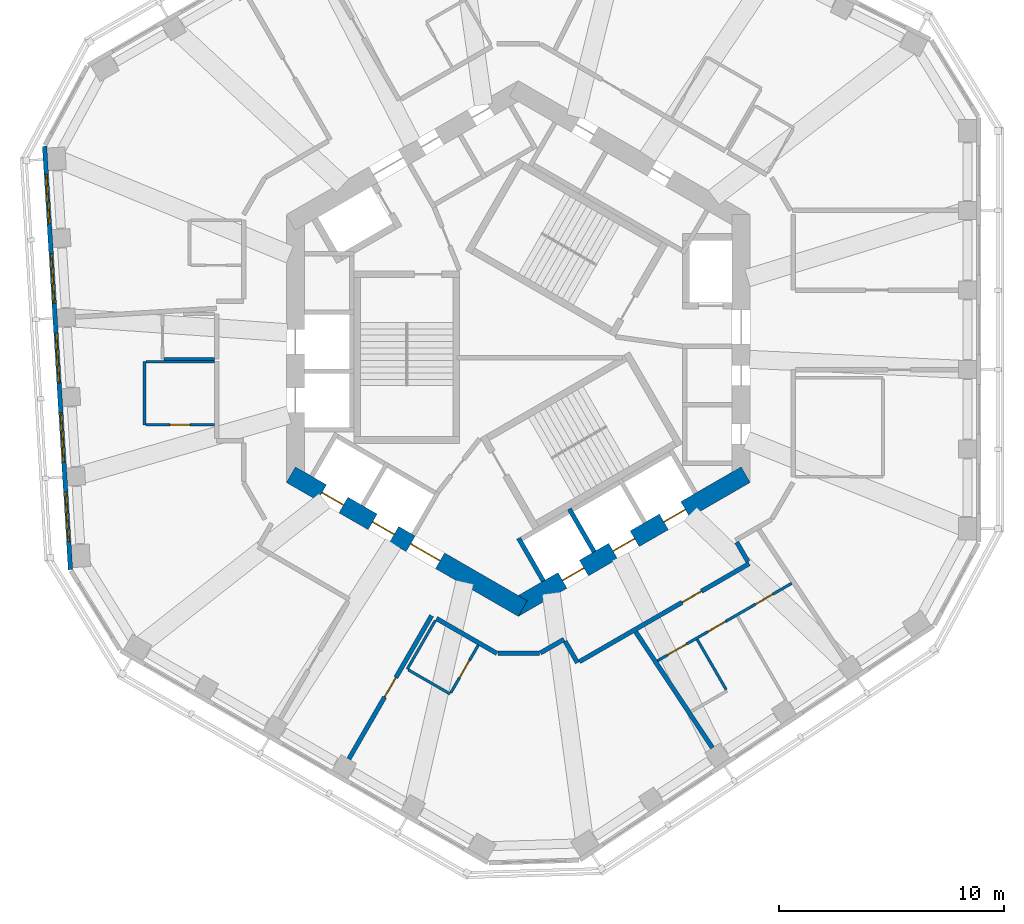
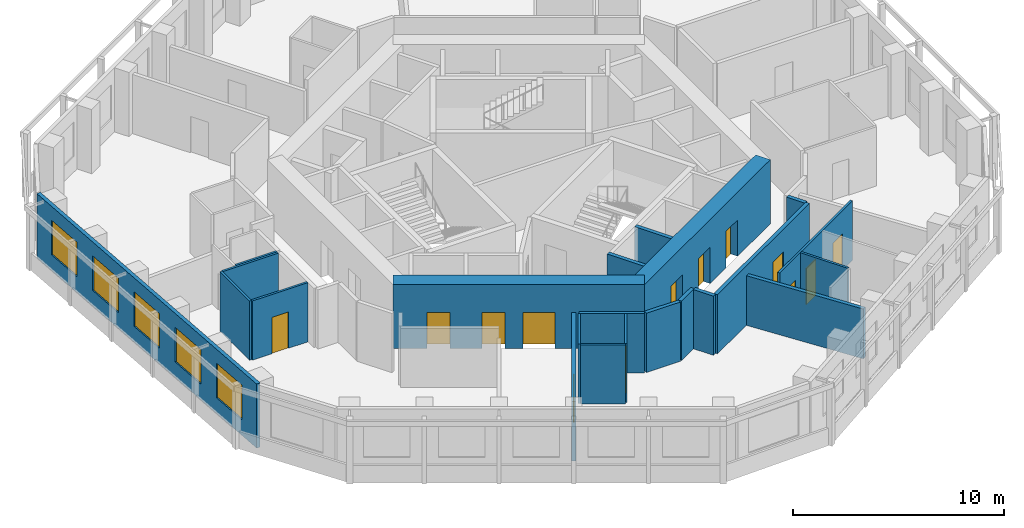
# One storey, part 4 of 11: 22 walls, 13 doors, 5 windows, 18 openings.
"""IFC4 building model written with IfcOpenShell, lengths in metres."""

import ifcopenshell
import ifcopenshell.guid

model = None  # the IFC model being written
_history = None  # IfcOwnerHistory: only IFC2X3 demands one
_inside = {}  # id of a spatial element -> (the spatial element, [elements in it])
_under = {}  # id of a project, library or spatial element -> (it, [spatial elements below it])
_declared = {}  # id of a project -> (the project, [libraries it declares])
_typed = {}  # id of a type object -> (the type object, [elements of that type])
_made_of = {}  # id of a material, layer set ... -> (it, [elements and type objects made of it])


def new_model(schema):
    """Start an empty IFC model of exactly this schema.

    Asked for "IFC4X3", IfcOpenShell would pick the latest addendum, in which some entities
    have other attributes; the version numbers below select the first issue.
    IFC2X3 requires an IfcOwnerHistory on every rooted entity: one is made here for all.
    """
    global model, _history
    if schema == "IFC4X3":
        model = ifcopenshell.file(schema_version=(4, 3, 0, 0))
    else:
        model = ifcopenshell.file(schema=schema)
    _inside.clear()
    _under.clear()
    _declared.clear()
    _typed.clear()
    _made_of.clear()
    _history = None
    if model.schema == "IFC2X3":
        org = make("IfcOrganization", Name="unknown")
        user = make(
            "IfcPersonAndOrganization",
            ThePerson=make("IfcPerson", FamilyName="unknown"),
            TheOrganization=org,
        )
        app = make(
            "IfcApplication",
            ApplicationDeveloper=org,
            Version="unknown",
            ApplicationFullName="unknown",
            ApplicationIdentifier="unknown",
        )
        _history = make(
            "IfcOwnerHistory",
            OwningUser=user,
            OwningApplication=app,
            ChangeAction="ADDED",
            CreationDate=0,
        )
    return model


def make(cls, **values):
    """One entity of the class cls with the attributes given. An attribute that is None is left unset."""
    return model.create_entity(
        cls, **{name: value for name, value in values.items() if value is not None}
    )


def rooted(cls, **values):
    """An entity with a GlobalId (a new one), such as an element, a storey or a relation."""
    return make(cls, GlobalId=ifcopenshell.guid.new(), OwnerHistory=_history, **values)


def si_unit(unit_type, name, prefix=None):
    """IfcSIUnit, for example si_unit("LENGTHUNIT", "METRE", prefix="MILLI")."""
    return make("IfcSIUnit", UnitType=unit_type, Prefix=prefix, Name=name)


def assignment(units):
    """IfcUnitAssignment: the units of a project."""
    return None if units is None else make("IfcUnitAssignment", Units=units)


def point(xyz):
    """IfcCartesianPoint."""
    return None if xyz is None else make("IfcCartesianPoint", Coordinates=xyz)


def direction(xyz):
    """IfcDirection."""
    return None if xyz is None else make("IfcDirection", DirectionRatios=xyz)


def frame(location, z_axis=None, x_axis=None):
    """IfcAxis2Placement3D, a coordinate frame: its origin and axes. An axis left out is left unset."""
    return make(
        "IfcAxis2Placement3D",
        Location=point(location),
        Axis=direction(z_axis),
        RefDirection=direction(x_axis),
    )


def frame_2d(location, x_axis=None):
    """IfcAxis2Placement2D, a coordinate frame in the plane: its origin and x axis."""
    return make(
        "IfcAxis2Placement2D", Location=point(location), RefDirection=direction(x_axis)
    )


def origin():
    """The frame at (0, 0, 0) with its axes left unset."""
    return frame((0.0, 0.0, 0.0))


def place(relative_to, where):
    """IfcLocalPlacement: puts the frame where relative to a parent placement (None: the world)."""
    return make(
        "IfcLocalPlacement", PlacementRelTo=relative_to, RelativePlacement=where
    )


def context(
    kind, dimensions, precision=None, world=None, true_north=None, identifier=None
):
    """IfcGeometricRepresentationContext, for example the 3D "Model" context."""
    return make(
        "IfcGeometricRepresentationContext",
        ContextIdentifier=identifier,
        ContextType=kind,
        CoordinateSpaceDimension=dimensions,
        Precision=precision,
        WorldCoordinateSystem=world,
        TrueNorth=true_north,
    )


def subcontext(parent, identifier, kind, view, scale=None):
    """IfcGeometricRepresentationSubContext, for example "Body" below "Model"."""
    return make(
        "IfcGeometricRepresentationSubContext",
        ContextIdentifier=identifier,
        ContextType=kind,
        ParentContext=parent,
        TargetScale=scale,
        TargetView=view,
    )


def project(units=None, contexts=None):
    """IfcProject with its units and contexts."""
    return rooted(
        "IfcProject",
        Name="project",
        RepresentationContexts=contexts,
        UnitsInContext=assignment(units),
    )


def spatial(cls, under=None, at=None, **own):
    """A site, building, storey or space (cls), placed at a placement, below another one or the project."""
    s = rooted(cls, ObjectPlacement=at, **own)
    if under is not None:
        _under.setdefault(under.id(), (under, []))[1].append(s)
    return s


def profile(cls, at=None, kind="AREA", **sizes):
    """A parametric profile (cls). Its sizes go by their IFC names, for example OverallWidth=200.0."""
    return make(cls, ProfileType=kind, Position=at, **sizes)


def rectangle(**sizes):
    """IfcRectangleProfileDef."""
    return profile("IfcRectangleProfileDef", **sizes)


def extrude(swept, where, along, depth):
    """IfcExtrudedAreaSolid: the profile swept, set in the frame where, extruded along a direction by depth."""
    return make(
        "IfcExtrudedAreaSolid",
        SweptArea=swept,
        Position=where,
        ExtrudedDirection=direction(along),
        Depth=depth,
    )


def shape(context_of_items, identifier, shape_type, items):
    """IfcShapeRepresentation: the items that make up one representation, for example the "Body"."""
    return make(
        "IfcShapeRepresentation",
        ContextOfItems=context_of_items,
        RepresentationIdentifier=identifier,
        RepresentationType=shape_type,
        Items=items,
    )


def material(Name=None, Category=None):
    """IfcMaterial."""
    return make("IfcMaterial", Name=Name, Category=Category)


def layer(
    of_material, thickness, ventilated=None, Name=None, Category=None, Priority=None
):
    """IfcMaterialLayer: one layer of a wall or slab, of a material (None: an air gap)."""
    return make(
        "IfcMaterialLayer",
        Material=of_material,
        LayerThickness=thickness,
        IsVentilated=ventilated,
        Name=Name,
        Category=Category,
        Priority=Priority,
    )


def layer_set(layers, Name=None):
    """IfcMaterialLayerSet."""
    return make("IfcMaterialLayerSet", MaterialLayers=layers, LayerSetName=Name)


def made_of(thing, what):
    """Note that an element or type object is made of a material, layer set ...; save() writes the relation."""
    if what is not None:
        _made_of.setdefault(what.id(), (what, []))[1].append(thing)
    return thing


def type_object(cls, material=None, **own):
    """A type object (cls), such as IfcWallType, which elements share."""
    return made_of(rooted(cls, **own), material)


def element(
    cls,
    number,
    at=None,
    inside=None,
    cuts=None,
    type_object=None,
    material=None,
    context=None,
    identifier="Body",
    shape_type=None,
    held_by="IfcProductDefinitionShape",
    body=None,
    shapes=None,
    **own,
):
    """One element of the class cls, such as IfcWall. Its Tag is "e" and its number.

    at: its placement. inside: the storey or other place that contains it. cuts: it is an
    opening in that element (IfcRelVoidsElement). A single representation is given by context,
    identifier, shape_type and body (its items); several are given by shapes. held_by: the class
    of the entity that holds the representations. save() writes the other relations.
    """
    e = rooted(cls, Tag="e%d" % number, ObjectPlacement=at, **own)
    if body is not None:
        shapes = [shape(context, identifier, shape_type, body)]
    if shapes is not None:
        e.Representation = make(held_by, Representations=shapes)
    if inside is not None:
        _inside.setdefault(inside.id(), (inside, []))[1].append(e)
    if cuts is not None:
        rooted(
            "IfcRelVoidsElement", RelatingBuildingElement=cuts, RelatedOpeningElement=e
        )
    if type_object is not None:
        _typed.setdefault(type_object.id(), (type_object, []))[1].append(e)
    return made_of(e, material)


def fill(opening, filler):
    """IfcRelFillsElement: the door or window that sits in an opening."""
    return rooted(
        "IfcRelFillsElement",
        RelatingOpeningElement=opening,
        RelatedBuildingElement=filler,
    )


def aggregate(whole, parts):
    """IfcRelAggregates: a whole, such as a stair, and the parts it consists of."""
    return rooted("IfcRelAggregates", RelatingObject=whole, RelatedObjects=parts)


def save(model, path):
    """Write the relations noted so far, then the file.

    IfcRelAggregates (storeys below a building ...), IfcRelContainedInSpatialStructure (elements
    in a storey), IfcRelDefinesByType, IfcRelAssociatesMaterial and IfcRelDeclares: one each for
    every whole, place, type object, material and project.
    """
    for whole, parts in _under.values():
        aggregate(whole, parts)
    for where, things in _inside.values():
        rooted(
            "IfcRelContainedInSpatialStructure",
            RelatedElements=things,
            RelatingStructure=where,
        )
    for kind, things in _typed.values():
        rooted("IfcRelDefinesByType", RelatedObjects=things, RelatingType=kind)
    for what, things in _made_of.values():
        rooted("IfcRelAssociatesMaterial", RelatedObjects=things, RelatingMaterial=what)
    for by, libraries in _declared.values():
        rooted("IfcRelDeclares", RelatingContext=by, RelatedDefinitions=libraries)
    model.write(path)


model = new_model("IFC4")

# Units and contexts
model_context = context("Model", 3, precision=1e-05, world=origin(), true_north=direction((0.0, 1.0)))
body_context = subcontext(model_context, "Body", "Model", "MODEL_VIEW")
ifc_project = project(units=[si_unit("LENGTHUNIT", "METRE"), si_unit("AREAUNIT", "SQUARE_METRE"), si_unit("VOLUMEUNIT", "CUBIC_METRE"), si_unit("PLANEANGLEUNIT", "RADIAN"), si_unit("MASSUNIT", "GRAM", prefix="KILO")], contexts=[model_context])

# Site, building, storey
site_placement = place(None, origin())
site = spatial("IfcSite", under=ifc_project, at=site_placement, CompositionType="ELEMENT")
building_placement = place(site_placement, origin())
building = spatial("IfcBuilding", under=site, at=building_placement, Name="Vanh Sen Convention Tower", CompositionType="ELEMENT")
storey_placement = place(building_placement, frame((0.0, 0.0, 243.89990234375)))
storey = spatial("IfcBuildingStorey", under=building, at=storey_placement, Name="L60", CompositionType="ELEMENT", Elevation=243.89990234375)

# Walls
ifc_material_1 = material(Name="Moisture-resistant gypsum board on steel studs", Category="steel")
ifc_layer_1 = layer(ifc_material_1, 0.1201171875)
ifc_layer_set_1 = layer_set([ifc_layer_1], Name="Moisture-resistant gypsum board on steel studs")
wall_type_1 = type_object("IfcWallType", Name="Bathroom partition 120", PredefinedType="PARTITIONING", material=ifc_layer_set_1)
wall_1_placement = place(storey_placement, frame((-16.60107421875, -3.38671875, 0.0), z_axis=(0.0, 0.0, 1.0), x_axis=(0.0, 1.0, 0.0)))
element("IfcWall", 1, at=wall_1_placement, inside=storey, type_object=wall_type_1, Name="Bathroom partition 120", PredefinedType="PARTITIONING", context=body_context, shape_type="SweptSolid", body=[
    extrude(rectangle(XDim=2.800048828125, YDim=0.1201171875, at=frame_2d((1.39990234375, 0.0))), origin(), (0.0, 0.0, 1.0), 3.420166015625),
])
wall_2_placement = place(storey_placement, frame((-16.541015625, -0.586669921875, 0.0), z_axis=(0.0, 0.0, 1.0), x_axis=(1.0, 0.0, 0.0)))
element("IfcWall", 2, at=wall_2_placement, inside=storey, type_object=wall_type_1, Name="Bathroom partition 120", PredefinedType="PARTITIONING", context=body_context, shape_type="SweptSolid", body=[
    extrude(rectangle(XDim=3.0400390625, YDim=0.1201171875, at=frame_2d((1.52001953125, 0.0))), origin(), (0.0, 0.0, 1.0), 3.420166015625),
])

# Wall, opening, door
wall_3_placement = place(storey_placement, frame((-13.5009765625, -3.38671875, 0.0), z_axis=(0.0, 0.0, 1.0), x_axis=(-1.0, 0.0, 0.0)))
wall_3 = element("IfcWall", 3, at=wall_3_placement, inside=storey, type_object=wall_type_1, Name="Bathroom partition 120", PredefinedType="PARTITIONING", context=body_context, shape_type="SweptSolid", body=[
    extrude(rectangle(XDim=3.0400390625, YDim=0.1201171875, at=frame_2d((1.52001953125, 0.0))), origin(), (0.0, 0.0, 1.0), 3.420166015625),
])
opening_1_placement = place(wall_3_placement, frame((1.070068359375, 0.0, 0.0)))
opening_1 = element("IfcOpeningElement", 4, at=opening_1_placement, cuts=wall_3, Name="Opening D59111", PredefinedType="OPENING", context=body_context, shape_type="SweptSolid", body=[
    extrude(rectangle(XDim=0.89990234375, YDim=2.10009765625, at=frame_2d((0.449951171875, 1.050048828125))), frame((0.0, 0.070068359375, 0.0), z_axis=(0.0, -1.0, 0.0), x_axis=(1.0, 0.0, 0.0)), (0.0, 0.0, 1.0), 0.14013671875),
])
ifc_material_2 = material(Name="Laminate door in steel frame", Category="steel")
door_type_1 = type_object("IfcDoorType", Name="Room internal door 900", OperationType="SINGLE_SWING_LEFT", PredefinedType="DOOR", material=ifc_material_2)
door_1_placement = place(opening_1_placement, origin())
door_1 = element("IfcDoor", 5, at=door_1_placement, inside=storey, type_object=door_type_1, Name="Internal room door D59111", OperationType="SINGLE_SWING_LEFT", OverallHeight=2.10009765625, OverallWidth=0.89990234375, PredefinedType="DOOR", context=body_context, shape_type="SweptSolid", body=[
    extrude(rectangle(XDim=0.89990234375, YDim=2.10009765625, at=frame_2d((0.449951171875, 1.050048828125))), frame((0.0, 0.02490234375, 0.0), z_axis=(0.0, -1.0, 0.0), x_axis=(1.0, 0.0, 0.0)), (0.0, 0.0, 1.0), 0.050048828125),
])
fill(opening_1, door_1)

# Walls
wall_4_placement = place(storey_placement, frame((-13.5009765625, -0.466796875, 0.0), z_axis=(0.0, 0.0, 1.0), x_axis=(-1.0, 0.0, 0.0)))
element("IfcWall", 6, at=wall_4_placement, inside=storey, type_object=wall_type_1, Name="Bathroom partition 120", PredefinedType="PARTITIONING", context=body_context, shape_type="SweptSolid", body=[
    extrude(rectangle(XDim=2.239990234375, YDim=0.1201171875, at=frame_2d((1.1201171875, 0.0))), origin(), (0.0, 0.0, 1.0), 3.420166015625),
])
wall_5_placement = place(storey_placement, frame((-4.93359375, -14.2412109375, 0.0), z_axis=(0.0, 0.0, 1.0), x_axis=(0.500004234368, 0.866022959057, 0.0)))
element("IfcWall", 7, at=wall_5_placement, inside=storey, type_object=wall_type_1, Name="Bathroom partition 120", PredefinedType="PARTITIONING", context=body_context, shape_type="SweptSolid", body=[
    extrude(rectangle(XDim=2.5, YDim=0.1201171875, at=frame_2d((1.25, 0.0))), origin(), (0.0, 0.0, 1.0), 3.420166015625),
])
wall_6_placement = place(storey_placement, frame((-3.0283203125, -15.34130859375, 0.0), z_axis=(0.0, 0.0, 1.0), x_axis=(-0.86600889856, 0.500028586798, 0.0)))
element("IfcWall", 8, at=wall_6_placement, inside=storey, type_object=wall_type_1, Name="Bathroom partition 120", PredefinedType="PARTITIONING", context=body_context, shape_type="SweptSolid", body=[
    extrude(rectangle(XDim=2.139892578125, YDim=0.1201171875, at=frame_2d((1.06982421875, 0.0))), origin(), (0.0, 0.0, 1.0), 3.420166015625),
])

# Wall, opening, door
wall_7_placement = place(storey_placement, frame((-1.7783203125, -13.17626953125, 0.0), z_axis=(0.0, 0.0, 1.0), x_axis=(-0.500002508028, -0.866023955769, 0.0)))
wall_7 = element("IfcWall", 9, at=wall_7_placement, inside=storey, type_object=wall_type_1, Name="Bathroom partition 120", PredefinedType="PARTITIONING", context=body_context, shape_type="SweptSolid", body=[
    extrude(rectangle(XDim=2.43994140625, YDim=0.1201171875, at=frame_2d((1.219970703125, 0.0))), origin(), (0.0, 0.0, 1.0), 3.420166015625),
])
opening_2_placement = place(wall_7_placement, frame((0.77001953125, 0.0, 0.0)))
opening_2 = element("IfcOpeningElement", 10, at=opening_2_placement, cuts=wall_7, Name="Opening D59113", PredefinedType="OPENING", context=body_context, shape_type="SweptSolid", body=[
    extrude(rectangle(XDim=0.89990234375, YDim=2.10009765625, at=frame_2d((0.449951171875, 1.050048828125))), frame((0.0, 0.070068359375, 0.0), z_axis=(0.0, -1.0, 0.0), x_axis=(1.0, 0.0, 0.0)), (0.0, 0.0, 1.0), 0.14013671875),
])
door_2_placement = place(opening_2_placement, origin())
door_2 = element("IfcDoor", 11, at=door_2_placement, inside=storey, type_object=door_type_1, Name="Internal room door D59113", OperationType="SINGLE_SWING_LEFT", OverallHeight=2.10009765625, OverallWidth=0.89990234375, PredefinedType="DOOR", context=body_context, shape_type="SweptSolid", body=[
    extrude(rectangle(XDim=0.89990234375, YDim=2.10009765625, at=frame_2d((0.449951171875, 1.050048828125))), frame((0.0, 0.02490234375, 0.0), z_axis=(0.0, -1.0, 0.0), x_axis=(1.0, 0.0, 0.0)), (0.0, 0.0, 1.0), 0.050048828125),
])
fill(opening_2, door_2)

# Wall, openings, doors
wall_8_placement = place(storey_placement, frame((6.1826171875, -13.867431640625, 0.0), z_axis=(0.0, 0.0, 1.0), x_axis=(0.866031365477, 0.499989673903, 0.0)))
wall_8 = element("IfcWall", 12, at=wall_8_placement, inside=storey, type_object=wall_type_1, Name="Bathroom partition 120", PredefinedType="PARTITIONING", context=body_context, shape_type="SweptSolid", body=[
    extrude(rectangle(XDim=6.880615234375, YDim=0.1201171875, at=frame_2d((3.4404296875, 0.0))), origin(), (0.0, 0.0, 1.0), 3.420166015625),
])
opening_3_placement = place(wall_8_placement, frame((0.5, 0.0, 0.0)))
opening_3 = element("IfcOpeningElement", 13, at=opening_3_placement, cuts=wall_8, Name="Opening D59115", PredefinedType="OPENING", context=body_context, shape_type="SweptSolid", body=[
    extrude(rectangle(XDim=1.0, YDim=2.10009765625, at=frame_2d((0.5, 1.050048828125))), frame((0.0, 0.070068359375, 0.0), z_axis=(0.0, -1.0, 0.0), x_axis=(1.0, 0.0, 0.0)), (0.0, 0.0, 1.0), 0.14013671875),
])
opening_4_placement = place(wall_8_placement, frame((2.58251953125, 0.0, 0.0)))
opening_4 = element("IfcOpeningElement", 14, at=opening_4_placement, cuts=wall_8, Name="Opening D59116", PredefinedType="OPENING", context=body_context, shape_type="SweptSolid", body=[
    extrude(rectangle(XDim=0.89990234375, YDim=2.10009765625, at=frame_2d((0.449951171875, 1.050048828125))), frame((0.0, 0.070068359375, 0.0), z_axis=(0.0, -1.0, 0.0), x_axis=(1.0, 0.0, 0.0)), (0.0, 0.0, 1.0), 0.14013671875),
])
opening_5_placement = place(wall_8_placement, frame((5.022705078125, 0.0, 0.0)))
opening_5 = element("IfcOpeningElement", 15, at=opening_5_placement, cuts=wall_8, Name="Opening D59117", PredefinedType="OPENING", context=body_context, shape_type="SweptSolid", body=[
    extrude(rectangle(XDim=0.89990234375, YDim=2.10009765625, at=frame_2d((0.449951171875, 1.050048828125))), frame((0.0, 0.070068359375, 0.0), z_axis=(0.0, -1.0, 0.0), x_axis=(1.0, 0.0, 0.0)), (0.0, 0.0, 1.0), 0.14013671875),
])
door_type_2 = type_object("IfcDoorType", Name="Accessible WC door 1000", OperationType="SINGLE_SWING_LEFT", PredefinedType="DOOR", material=ifc_material_2)
door_3_placement = place(opening_3_placement, origin())
door_3 = element("IfcDoor", 16, at=door_3_placement, inside=storey, type_object=door_type_2, Name="Accessible WC door D59115", OperationType="SINGLE_SWING_LEFT", OverallHeight=2.10009765625, OverallWidth=1.0, PredefinedType="DOOR", context=body_context, shape_type="SweptSolid", body=[
    extrude(rectangle(XDim=1.0, YDim=2.10009765625, at=frame_2d((0.5, 1.050048828125))), frame((0.0, 0.02490234375, 0.0), z_axis=(0.0, -1.0, 0.0), x_axis=(1.0, 0.0, 0.0)), (0.0, 0.0, 1.0), 0.050048828125),
])
fill(opening_3, door_3)
door_4_placement = place(opening_4_placement, origin())
door_4 = element("IfcDoor", 17, at=door_4_placement, inside=storey, type_object=door_type_1, Name="Internal room door D59116", OperationType="SINGLE_SWING_LEFT", OverallHeight=2.10009765625, OverallWidth=0.89990234375, PredefinedType="DOOR", context=body_context, shape_type="SweptSolid", body=[
    extrude(rectangle(XDim=0.89990234375, YDim=2.10009765625, at=frame_2d((0.449951171875, 1.050048828125))), frame((0.0, 0.02490234375, 0.0), z_axis=(0.0, -1.0, 0.0), x_axis=(1.0, 0.0, 0.0)), (0.0, 0.0, 1.0), 0.050048828125),
])
fill(opening_4, door_4)
door_5_placement = place(opening_5_placement, origin())
door_5 = element("IfcDoor", 18, at=door_5_placement, inside=storey, type_object=door_type_1, Name="Internal room door D59117", OperationType="SINGLE_SWING_LEFT", OverallHeight=2.10009765625, OverallWidth=0.89990234375, PredefinedType="DOOR", context=body_context, shape_type="SweptSolid", body=[
    extrude(rectangle(XDim=0.89990234375, YDim=2.10009765625, at=frame_2d((0.449951171875, 1.050048828125))), frame((0.0, 0.02490234375, 0.0), z_axis=(0.0, -1.0, 0.0), x_axis=(1.0, 0.0, 0.0)), (0.0, 0.0, 1.0), 0.050048828125),
])
fill(opening_5, door_5)

# Wall
wall_9_placement = place(storey_placement, frame((9.23486328125, -15.15380859375, 0.0), z_axis=(0.0, 0.0, 1.0), x_axis=(-0.500006411147, 0.866021702275, 0.0)))
element("IfcWall", 19, at=wall_9_placement, inside=storey, type_object=wall_type_1, Name="Bathroom partition 120", PredefinedType="PARTITIONING", context=body_context, shape_type="SweptSolid", body=[
    extrude(rectangle(XDim=2.580078125, YDim=0.1201171875, at=frame_2d((1.2900390625, 0.0))), origin(), (0.0, 0.0, 1.0), 3.420166015625),
])

# Wall, openings, doors
ifc_material_3 = material(Name="Concrete C60/75", Category="concrete")
ifc_layer_2 = layer(ifc_material_3, 0.800048828125)
ifc_layer_set_2 = layer_set([ifc_layer_2], Name="Concrete C60/75")
wall_type_2 = type_object("IfcWallType", Name="Core outer wall 800 C60/75", PredefinedType="SHEAR", material=ifc_layer_set_2)
wall_10_placement = place(storey_placement, frame((-10.10009765625, -5.600341796875, 0.0), z_axis=(0.0, 0.0, 1.0), x_axis=(0.866023897231, -0.500002609418, 0.0)))
wall_10 = element("IfcWall", 20, at=wall_10_placement, inside=storey, type_object=wall_type_2, Name="Core wall face SW L60", PredefinedType="SHEAR", context=body_context, shape_type="SweptSolid", body=[
    extrude(rectangle(XDim=11.8935546875, YDim=0.800048828125, at=frame_2d((5.94677734375, 0.0))), origin(), (0.0, 0.0, 1.0), 3.7001953125),
])
opening_6_placement = place(wall_10_placement, frame((6.146728515625, 0.0, 0.0)))
opening_6 = element("IfcOpeningElement", 21, at=opening_6_placement, cuts=wall_10, Name="Opening D59003", PredefinedType="OPENING", context=body_context, shape_type="SweptSolid", body=[
    extrude(rectangle(XDim=1.5, YDim=2.10009765625, at=frame_2d((0.75, 1.050048828125))), frame((0.0, 0.409912109375, 0.0), z_axis=(0.0, -1.0, 0.0), x_axis=(1.0, 0.0, 0.0)), (0.0, 0.0, 1.0), 0.820068359375),
])
opening_7_placement = place(wall_10_placement, frame((1.5966796875, 0.0, 0.0)))
opening_7 = element("IfcOpeningElement", 22, at=opening_7_placement, cuts=wall_10, Name="Opening LD-HR3", PredefinedType="OPENING", context=body_context, shape_type="SweptSolid", body=[
    extrude(rectangle(XDim=1.10009765625, YDim=2.10009765625, at=frame_2d((0.550048828125, 1.050048828125))), frame((0.0, 0.409912109375, 0.0), z_axis=(0.0, -1.0, 0.0), x_axis=(1.0, 0.0, 0.0)), (0.0, 0.0, 1.0), 0.820068359375),
])
opening_8_placement = place(wall_10_placement, frame((4.19677734375, 0.0, 0.0)))
opening_8 = element("IfcOpeningElement", 23, at=opening_8_placement, cuts=wall_10, Name="Opening LD-HR4", PredefinedType="OPENING", context=body_context, shape_type="SweptSolid", body=[
    extrude(rectangle(XDim=1.10009765625, YDim=2.10009765625, at=frame_2d((0.550048828125, 1.050048828125))), frame((0.0, 0.409912109375, 0.0), z_axis=(0.0, -1.0, 0.0), x_axis=(1.0, 0.0, 0.0)), (0.0, 0.0, 1.0), 0.820068359375),
])
ifc_material_4 = material(Name="Stainless steel", Category="steel")
door_type_3 = type_object("IfcDoorType", Name="Lift landing door 1100", OperationType="DOUBLE_DOOR_SLIDING", PredefinedType="DOOR", material=ifc_material_4)
door_6_placement = place(opening_7_placement, origin())
door_6 = element("IfcDoor", 24, at=door_6_placement, inside=storey, type_object=door_type_3, Name="Lift HR3 landing door LD-HR3", OperationType="DOUBLE_DOOR_SLIDING", OverallHeight=2.10009765625, OverallWidth=1.10009765625, PredefinedType="DOOR", context=body_context, shape_type="SweptSolid", body=[
    extrude(rectangle(XDim=1.10009765625, YDim=2.10009765625, at=frame_2d((0.550048828125, 1.050048828125))), frame((0.0, 0.02490234375, 0.0), z_axis=(0.0, -1.0, 0.0), x_axis=(1.0, 0.0, 0.0)), (0.0, 0.0, 1.0), 0.050048828125),
])
fill(opening_7, door_6)
door_7_placement = place(opening_8_placement, origin())
door_7 = element("IfcDoor", 25, at=door_7_placement, inside=storey, type_object=door_type_3, Name="Lift HR4 landing door LD-HR4", OperationType="DOUBLE_DOOR_SLIDING", OverallHeight=2.10009765625, OverallWidth=1.10009765625, PredefinedType="DOOR", context=body_context, shape_type="SweptSolid", body=[
    extrude(rectangle(XDim=1.10009765625, YDim=2.10009765625, at=frame_2d((0.550048828125, 1.050048828125))), frame((0.0, 0.02490234375, 0.0), z_axis=(0.0, -1.0, 0.0), x_axis=(1.0, 0.0, 0.0)), (0.0, 0.0, 1.0), 0.050048828125),
])
fill(opening_8, door_7)
ifc_material_5 = material(Name="Steel S355", Category="steel")
door_type_4 = type_object("IfcDoorType", Name="Stair lobby door 1500", OperationType="DOUBLE_DOOR_SINGLE_SWING", PredefinedType="DOOR", material=ifc_material_5)
door_8_placement = place(opening_6_placement, origin())
door_8 = element("IfcDoor", 26, at=door_8_placement, inside=storey, type_object=door_type_4, Name="Stair lobby door D59003", OperationType="DOUBLE_DOOR_SINGLE_SWING", OverallHeight=2.10009765625, OverallWidth=1.5, PredefinedType="DOOR", context=body_context, shape_type="SweptSolid", body=[
    extrude(rectangle(XDim=1.5, YDim=2.10009765625, at=frame_2d((0.75, 1.050048828125))), frame((0.0, 0.02490234375, 0.0), z_axis=(0.0, -1.0, 0.0), x_axis=(1.0, 0.0, 0.0)), (0.0, 0.0, 1.0), 0.050048828125),
])
fill(opening_6, door_8)

wall_11_placement = place(storey_placement, frame((-0.199951171875, -11.547119140625, 0.0), z_axis=(0.0, 0.0, 1.0), x_axis=(0.866023897231, 0.500002609418, 0.0)))
wall_11 = element("IfcWall", 27, at=wall_11_placement, inside=storey, type_object=wall_type_2, Name="Core wall face SE L60", PredefinedType="SHEAR", context=body_context, shape_type="SweptSolid", body=[
    extrude(rectangle(XDim=11.8935546875, YDim=0.800048828125, at=frame_2d((5.94677734375, 0.0))), origin(), (0.0, 0.0, 1.0), 3.7001953125),
])
opening_9_placement = place(wall_11_placement, frame((2.49658203125, 0.0, 0.0)))
opening_9 = element("IfcOpeningElement", 28, at=opening_9_placement, cuts=wall_11, Name="Opening LD-HR5", PredefinedType="OPENING", context=body_context, shape_type="SweptSolid", body=[
    extrude(rectangle(XDim=1.10009765625, YDim=2.10009765625, at=frame_2d((0.550048828125, 1.050048828125))), frame((0.0, 0.409912109375, 0.0), z_axis=(0.0, -1.0, 0.0), x_axis=(1.0, 0.0, 0.0)), (0.0, 0.0, 1.0), 0.820068359375),
])
opening_10_placement = place(wall_11_placement, frame((5.0966796875, 0.0, 0.0)))
opening_10 = element("IfcOpeningElement", 29, at=opening_10_placement, cuts=wall_11, Name="Opening LD-HR6", PredefinedType="OPENING", context=body_context, shape_type="SweptSolid", body=[
    extrude(rectangle(XDim=1.10009765625, YDim=2.10009765625, at=frame_2d((0.550048828125, 1.050048828125))), frame((0.0, 0.409912109375, 0.0), z_axis=(0.0, -1.0, 0.0), x_axis=(1.0, 0.0, 0.0)), (0.0, 0.0, 1.0), 0.820068359375),
])
opening_11_placement = place(wall_11_placement, frame((7.69677734375, 0.0, 0.0)))
opening_11 = element("IfcOpeningElement", 30, at=opening_11_placement, cuts=wall_11, Name="Opening LD-SV1", PredefinedType="OPENING", context=body_context, shape_type="SweptSolid", body=[
    extrude(rectangle(XDim=1.10009765625, YDim=2.10009765625, at=frame_2d((0.550048828125, 1.050048828125))), frame((0.0, 0.409912109375, 0.0), z_axis=(0.0, -1.0, 0.0), x_axis=(1.0, 0.0, 0.0)), (0.0, 0.0, 1.0), 0.820068359375),
])
door_9_placement = place(opening_9_placement, origin())
door_9 = element("IfcDoor", 31, at=door_9_placement, inside=storey, type_object=door_type_3, Name="Lift HR5 landing door LD-HR5", OperationType="DOUBLE_DOOR_SLIDING", OverallHeight=2.10009765625, OverallWidth=1.10009765625, PredefinedType="DOOR", context=body_context, shape_type="SweptSolid", body=[
    extrude(rectangle(XDim=1.10009765625, YDim=2.10009765625, at=frame_2d((0.550048828125, 1.050048828125))), frame((0.0, 0.02490234375, 0.0), z_axis=(0.0, -1.0, 0.0), x_axis=(1.0, 0.0, 0.0)), (0.0, 0.0, 1.0), 0.050048828125),
])
fill(opening_9, door_9)
door_10_placement = place(opening_10_placement, origin())
door_10 = element("IfcDoor", 32, at=door_10_placement, inside=storey, type_object=door_type_3, Name="Lift HR6 landing door LD-HR6", OperationType="DOUBLE_DOOR_SLIDING", OverallHeight=2.10009765625, OverallWidth=1.10009765625, PredefinedType="DOOR", context=body_context, shape_type="SweptSolid", body=[
    extrude(rectangle(XDim=1.10009765625, YDim=2.10009765625, at=frame_2d((0.550048828125, 1.050048828125))), frame((0.0, 0.02490234375, 0.0), z_axis=(0.0, -1.0, 0.0), x_axis=(1.0, 0.0, 0.0)), (0.0, 0.0, 1.0), 0.050048828125),
])
fill(opening_10, door_10)
door_11_placement = place(opening_11_placement, origin())
door_11 = element("IfcDoor", 33, at=door_11_placement, inside=storey, type_object=door_type_3, Name="Lift SV1 landing door LD-SV1", OperationType="DOUBLE_DOOR_SLIDING", OverallHeight=2.10009765625, OverallWidth=1.10009765625, PredefinedType="DOOR", context=body_context, shape_type="SweptSolid", body=[
    extrude(rectangle(XDim=1.10009765625, YDim=2.10009765625, at=frame_2d((0.550048828125, 1.050048828125))), frame((0.0, 0.02490234375, 0.0), z_axis=(0.0, -1.0, 0.0), x_axis=(1.0, 0.0, 0.0)), (0.0, 0.0, 1.0), 0.050048828125),
])
fill(opening_11, door_11)

# Wall, opening, door
ifc_material_6 = material(Name="Gypsum board on steel studs with mineral wool", Category="steel")
ifc_layer_3 = layer(ifc_material_6, 0.199951171875)
ifc_layer_set_3 = layer_set([ifc_layer_3], Name="Gypsum board on steel studs with mineral wool")
wall_type_3 = type_object("IfcWallType", Name="Corridor partition wall 200", PredefinedType="PARTITIONING", material=ifc_layer_set_3)
wall_12_placement = place(storey_placement, frame((-7.52490234375, -18.229736328125, 0.0), z_axis=(0.0, 0.0, 1.0), x_axis=(0.499983153418, 0.866035129944, 0.0)))
wall_12 = element("IfcWall", 34, at=wall_12_placement, inside=storey, type_object=wall_type_3, Name="Corridor partition wall 200", PredefinedType="PARTITIONING", context=body_context, shape_type="SweptSolid", body=[
    extrude(rectangle(XDim=7.349853515625, YDim=0.199951171875, at=frame_2d((3.6748046875, 0.0))), origin(), (0.0, 0.0, 1.0), 3.420166015625),
])
opening_12_placement = place(wall_12_placement, frame((3.175048828125, 0.0, 0.0)))
opening_12 = element("IfcOpeningElement", 35, at=opening_12_placement, cuts=wall_12, Name="Opening D59112", PredefinedType="OPENING", context=body_context, shape_type="SweptSolid", body=[
    extrude(rectangle(XDim=1.0, YDim=2.10009765625, at=frame_2d((0.5, 1.050048828125))), frame((0.0, 0.10986328125, 0.0), z_axis=(0.0, -1.0, 0.0), x_axis=(1.0, 0.0, 0.0)), (0.0, 0.0, 1.0), 0.219970703125),
])
ifc_material_7 = material(Name="Glazed fire door in steel frame", Category="steel")
door_type_5 = type_object("IfcDoorType", Name="Tenant entrance door 1000", OperationType="SINGLE_SWING_LEFT", PredefinedType="DOOR", material=ifc_material_7)
door_12_placement = place(opening_12_placement, origin())
door_12 = element("IfcDoor", 36, at=door_12_placement, inside=storey, type_object=door_type_5, Name="Tenant suite entrance door D59112", OperationType="SINGLE_SWING_LEFT", OverallHeight=2.10009765625, OverallWidth=1.0, PredefinedType="DOOR", context=body_context, shape_type="SweptSolid", body=[
    extrude(rectangle(XDim=1.0, YDim=2.10009765625, at=frame_2d((0.5, 1.050048828125))), frame((0.0, 0.02490234375, 0.0), z_axis=(0.0, -1.0, 0.0), x_axis=(1.0, 0.0, 0.0)), (0.0, 0.0, 1.0), 0.050048828125),
])
fill(opening_12, door_12)

# Walls
wall_13_placement = place(storey_placement, frame((-3.633544921875, -11.989501953125, 0.0), z_axis=(0.0, 0.0, 1.0), x_axis=(0.866033392248, -0.499986163319, 0.0)))
element("IfcWall", 37, at=wall_13_placement, inside=storey, type_object=wall_type_3, Name="Corridor partition wall 200", PredefinedType="PARTITIONING", context=body_context, shape_type="SweptSolid", body=[
    extrude(rectangle(XDim=3.0986328125, YDim=0.199951171875, at=frame_2d((1.54931640625, 0.0))), origin(), (0.0, 0.0, 1.0), 3.420166015625),
])
wall_14_placement = place(storey_placement, frame((-0.909912109375, -13.538818359375, 0.0), z_axis=(0.0, 0.0, 1.0), x_axis=(1.0, 0.0, 0.0)))
element("IfcWall", 38, at=wall_14_placement, inside=storey, type_object=wall_type_3, Name="Corridor partition wall 200", PredefinedType="PARTITIONING", context=body_context, shape_type="SweptSolid", body=[
    extrude(rectangle(XDim=1.85986328125, YDim=0.199951171875, at=frame_2d((0.929931640625, 0.0))), origin(), (0.0, 0.0, 1.0), 3.420166015625),
])
wall_15_placement = place(storey_placement, frame((0.984619140625, -13.518798828125, 0.0), z_axis=(0.0, 0.0, 1.0), x_axis=(0.866054082991, 0.499950322867, 0.0)))
element("IfcWall", 39, at=wall_15_placement, inside=storey, type_object=wall_type_3, Name="Corridor partition wall 200", PredefinedType="PARTITIONING", context=body_context, shape_type="SweptSolid", body=[
    extrude(rectangle(XDim=1.20556640625, YDim=0.199951171875, at=frame_2d((0.602783203125, 0.0))), origin(), (0.0, 0.0, 1.0), 3.420166015625),
])
wall_16_placement = place(storey_placement, frame((2.078857421875, -13.002685546875, 0.0), z_axis=(0.0, 0.0, 1.0), x_axis=(0.500074377092, -0.865982457891, 0.0)))
element("IfcWall", 40, at=wall_16_placement, inside=storey, type_object=wall_type_3, Name="Corridor partition wall 200", PredefinedType="PARTITIONING", context=body_context, shape_type="SweptSolid", body=[
    extrude(rectangle(XDim=1.100830078125, YDim=0.199951171875, at=frame_2d((0.55029296875, 0.0))), origin(), (0.0, 0.0, 1.0), 3.420166015625),
])

# Wall, opening, door
wall_17_placement = place(storey_placement, frame((2.7158203125, -13.906005859375, 0.0), z_axis=(0.0, 0.0, 1.0), x_axis=(0.866040290674, 0.499974214264, 0.0)))
wall_17 = element("IfcWall", 41, at=wall_17_placement, inside=storey, type_object=wall_type_3, Name="Corridor partition wall 200", PredefinedType="PARTITIONING", context=body_context, shape_type="SweptSolid", body=[
    extrude(rectangle(XDim=8.7021484375, YDim=0.199951171875, at=frame_2d((4.35107421875, 0.0))), origin(), (0.0, 0.0, 1.0), 3.420166015625),
])
opening_13_placement = place(wall_17_placement, frame((5.259765625, 0.0, 0.0)))
opening_13 = element("IfcOpeningElement", 42, at=opening_13_placement, cuts=wall_17, Name="Opening D59114", PredefinedType="OPENING", context=body_context, shape_type="SweptSolid", body=[
    extrude(rectangle(XDim=1.0, YDim=2.10009765625, at=frame_2d((0.5, 1.050048828125))), frame((0.0, 0.10986328125, 0.0), z_axis=(0.0, -1.0, 0.0), x_axis=(1.0, 0.0, 0.0)), (0.0, 0.0, 1.0), 0.219970703125),
])
ifc_material_8 = material(Name="Timber fire door in steel frame", Category="steel")
door_type_6 = type_object("IfcDoorType", Name="Floor room door 1000", OperationType="SINGLE_SWING_LEFT", PredefinedType="DOOR", material=ifc_material_8)
door_13_placement = place(opening_13_placement, origin())
door_13 = element("IfcDoor", 43, at=door_13_placement, inside=storey, type_object=door_type_6, Name="Meeting and amenity room door D59114", OperationType="SINGLE_SWING_LEFT", OverallHeight=2.10009765625, OverallWidth=1.0, PredefinedType="DOOR", context=body_context, shape_type="SweptSolid", body=[
    extrude(rectangle(XDim=1.0, YDim=2.10009765625, at=frame_2d((0.5, 1.050048828125))), frame((0.0, 0.02490234375, 0.0), z_axis=(0.0, -1.0, 0.0), x_axis=(1.0, 0.0, 0.0)), (0.0, 0.0, 1.0), 0.050048828125),
])
fill(opening_13, door_13)

# Wall
wall_18_placement = place(storey_placement, frame((10.2021484375, -9.468505859375, 0.0), z_axis=(0.0, 0.0, 1.0), x_axis=(-0.499968756647, 0.866043441391, 0.0)))
element("IfcWall", 44, at=wall_18_placement, inside=storey, type_object=wall_type_3, Name="Corridor partition wall 200", PredefinedType="PARTITIONING", context=body_context, shape_type="SweptSolid", body=[
    extrude(rectangle(XDim=1.0009765625, YDim=0.199951171875, at=frame_2d((0.50048828125, 0.0))), origin(), (0.0, 0.0, 1.0), 3.420166015625),
])

# Wall, openings, windows
ifc_material_9 = material(Name="Insulated lightweight infill wall")
ifc_layer_4 = layer(ifc_material_9, 0.199951171875)
ifc_layer_set_4 = layer_set([ifc_layer_4], Name="Insulated lightweight infill wall")
wall_type_4 = type_object("IfcWallType", Name="External wall 200", PredefinedType="STANDARD", material=ifc_layer_set_4)
wall_19_placement = place(storey_placement, frame((-21.03759765625, 8.983642578125, 0.0), z_axis=(0.0, 0.0, 1.0), x_axis=(0.061043935634, -0.998135079998, 0.0)))
wall_19 = element("IfcWall", 45, at=wall_19_placement, inside=storey, type_object=wall_type_4, Name="External wall W L60", PredefinedType="STANDARD", context=body_context, shape_type="SweptSolid", body=[
    extrude(rectangle(XDim=18.84130859375, YDim=0.199951171875, at=frame_2d((9.420654296875, 0.0))), origin(), (0.0, 0.0, 1.0), 3.7001953125),
])
opening_14_placement = place(wall_19_placement, frame((1.252685546875, 0.0, 0.89990234375)))
opening_14 = element("IfcOpeningElement", 46, at=opening_14_placement, cuts=wall_19, Name="Opening WO3-W1", PredefinedType="OPENING", context=body_context, shape_type="SweptSolid", body=[
    extrude(rectangle(XDim=2.199951171875, YDim=2.0, at=frame_2d((1.10009765625, 1.0))), frame((0.0, 0.10986328125, 0.0), z_axis=(0.0, -1.0, 0.0), x_axis=(1.0, 0.0, 0.0)), (0.0, 0.0, 1.0), 0.219970703125),
])
opening_15_placement = place(wall_19_placement, frame((4.7861328125, 0.0, 0.89990234375)))
opening_15 = element("IfcOpeningElement", 47, at=opening_15_placement, cuts=wall_19, Name="Opening WO3-W2", PredefinedType="OPENING", context=body_context, shape_type="SweptSolid", body=[
    extrude(rectangle(XDim=2.199951171875, YDim=2.0, at=frame_2d((1.10009765625, 1.0))), frame((0.0, 0.10986328125, 0.0), z_axis=(0.0, -1.0, 0.0), x_axis=(1.0, 0.0, 0.0)), (0.0, 0.0, 1.0), 0.219970703125),
])
opening_16_placement = place(wall_19_placement, frame((8.31982421875, 0.0, 0.89990234375)))
opening_16 = element("IfcOpeningElement", 48, at=opening_16_placement, cuts=wall_19, Name="Opening WO3-W3", PredefinedType="OPENING", context=body_context, shape_type="SweptSolid", body=[
    extrude(rectangle(XDim=2.199951171875, YDim=2.0, at=frame_2d((1.10009765625, 1.0))), frame((0.0, 0.10986328125, 0.0), z_axis=(0.0, -1.0, 0.0), x_axis=(1.0, 0.0, 0.0)), (0.0, 0.0, 1.0), 0.219970703125),
])
opening_17_placement = place(wall_19_placement, frame((11.853515625, 0.0, 0.89990234375)))
opening_17 = element("IfcOpeningElement", 49, at=opening_17_placement, cuts=wall_19, Name="Opening WO3-W4", PredefinedType="OPENING", context=body_context, shape_type="SweptSolid", body=[
    extrude(rectangle(XDim=2.199951171875, YDim=2.0, at=frame_2d((1.10009765625, 1.0))), frame((0.0, 0.10986328125, 0.0), z_axis=(0.0, -1.0, 0.0), x_axis=(1.0, 0.0, 0.0)), (0.0, 0.0, 1.0), 0.219970703125),
])
opening_18_placement = place(wall_19_placement, frame((15.38720703125, 0.0, 0.89990234375)))
opening_18 = element("IfcOpeningElement", 50, at=opening_18_placement, cuts=wall_19, Name="Opening WO3-W5", PredefinedType="OPENING", context=body_context, shape_type="SweptSolid", body=[
    extrude(rectangle(XDim=2.199951171875, YDim=2.0, at=frame_2d((1.10009765625, 1.0))), frame((0.0, 0.10986328125, 0.0), z_axis=(0.0, -1.0, 0.0), x_axis=(1.0, 0.0, 0.0)), (0.0, 0.0, 1.0), 0.219970703125),
])
ifc_material_10 = material(Name="Aluminium frame with clear low-emissivity glass", Category="aluminium")
window_type = type_object("IfcWindowType", Name="Office window 2200 x 2000", PartitioningType="SINGLE_PANEL", PredefinedType="WINDOW", material=ifc_material_10)
window_1_placement = place(opening_14_placement, origin())
window_1 = element("IfcWindow", 51, at=window_1_placement, inside=storey, type_object=window_type, Name="Window WO3-W1", OverallHeight=2.0, OverallWidth=2.199951171875, PartitioningType="SINGLE_PANEL", PredefinedType="WINDOW", context=body_context, shape_type="SweptSolid", body=[
    extrude(rectangle(XDim=2.199951171875, YDim=2.0, at=frame_2d((1.10009765625, 1.0))), frame((0.0, 0.030029296875, 0.0), z_axis=(0.0, -1.0, 0.0), x_axis=(1.0, 0.0, 0.0)), (0.0, 0.0, 1.0), 0.06005859375),
])
fill(opening_14, window_1)
window_2_placement = place(opening_15_placement, origin())
window_2 = element("IfcWindow", 52, at=window_2_placement, inside=storey, type_object=window_type, Name="Window WO3-W2", OverallHeight=2.0, OverallWidth=2.199951171875, PartitioningType="SINGLE_PANEL", PredefinedType="WINDOW", context=body_context, shape_type="SweptSolid", body=[
    extrude(rectangle(XDim=2.199951171875, YDim=2.0, at=frame_2d((1.10009765625, 1.0))), frame((0.0, 0.030029296875, 0.0), z_axis=(0.0, -1.0, 0.0), x_axis=(1.0, 0.0, 0.0)), (0.0, 0.0, 1.0), 0.06005859375),
])
fill(opening_15, window_2)
window_3_placement = place(opening_16_placement, origin())
window_3 = element("IfcWindow", 53, at=window_3_placement, inside=storey, type_object=window_type, Name="Window WO3-W3", OverallHeight=2.0, OverallWidth=2.199951171875, PartitioningType="SINGLE_PANEL", PredefinedType="WINDOW", context=body_context, shape_type="SweptSolid", body=[
    extrude(rectangle(XDim=2.199951171875, YDim=2.0, at=frame_2d((1.10009765625, 1.0))), frame((0.0, 0.030029296875, 0.0), z_axis=(0.0, -1.0, 0.0), x_axis=(1.0, 0.0, 0.0)), (0.0, 0.0, 1.0), 0.06005859375),
])
fill(opening_16, window_3)
window_4_placement = place(opening_17_placement, origin())
window_4 = element("IfcWindow", 54, at=window_4_placement, inside=storey, type_object=window_type, Name="Window WO3-W4", OverallHeight=2.0, OverallWidth=2.199951171875, PartitioningType="SINGLE_PANEL", PredefinedType="WINDOW", context=body_context, shape_type="SweptSolid", body=[
    extrude(rectangle(XDim=2.199951171875, YDim=2.0, at=frame_2d((1.10009765625, 1.0))), frame((0.0, 0.030029296875, 0.0), z_axis=(0.0, -1.0, 0.0), x_axis=(1.0, 0.0, 0.0)), (0.0, 0.0, 1.0), 0.06005859375),
])
fill(opening_17, window_4)
window_5_placement = place(opening_18_placement, origin())
window_5 = element("IfcWindow", 55, at=window_5_placement, inside=storey, type_object=window_type, Name="Window WO3-W5", OverallHeight=2.0, OverallWidth=2.199951171875, PartitioningType="SINGLE_PANEL", PredefinedType="WINDOW", context=body_context, shape_type="SweptSolid", body=[
    extrude(rectangle(XDim=2.199951171875, YDim=2.0, at=frame_2d((1.10009765625, 1.0))), frame((0.0, 0.030029296875, 0.0), z_axis=(0.0, -1.0, 0.0), x_axis=(1.0, 0.0, 0.0)), (0.0, 0.0, 1.0), 0.06005859375),
])
fill(opening_18, window_5)

# Walls
ifc_material_11 = material(Name="Concrete C40/50", Category="concrete")
ifc_layer_5 = layer(ifc_material_11, 0.199951171875)
ifc_layer_set_5 = layer_set([ifc_layer_5], Name="Concrete C40/50")
wall_type_5 = type_object("IfcWallType", Name="Lift shaft wall 200", PredefinedType="PARTITIONING", material=ifc_layer_set_5)
for number, where, z_axis, x_axis, name in (
    (56, (0.0126953125, -8.422119140625, 0.0), (0.0, 0.0, 1.0), (0.500077893725, -0.86598042715, 0.0), "Lift shaft wall L60"),
    (57, (2.264404296875, -7.1220703125, 0.0), (0.0, 0.0, 1.0), (0.500077893725, -0.86598042715, 0.0), "Lift shaft wall L60"),
):
    element("IfcWall", number, at=place(storey_placement, frame(where, z_axis=z_axis, x_axis=x_axis)), inside=storey, type_object=wall_type_5, Name=name, PredefinedType="PARTITIONING", context=body_context, shape_type="SweptSolid", body=[
        extrude(rectangle(XDim=2.199951171875, YDim=0.199951171875, at=frame_2d((1.10009765625, 0.0))), origin(), (0.0, 0.0, 1.0), 3.420166015625),
    ])
ifc_layer_6 = layer(ifc_material_6, 0.199951171875)
ifc_layer_set_6 = layer_set([ifc_layer_6], Name="Gypsum board on steel studs with mineral wool")
wall_type_6 = type_object("IfcWallType", Name="Tenant suite wall 200", PredefinedType="PARTITIONING", material=ifc_layer_set_6)
wall_20_placement = place(storey_placement, frame((8.623779296875, -17.736572265625, 0.0), z_axis=(0.0, 0.0, 1.0), x_axis=(-0.55193161762, 0.83388937484, 0.0)))
element("IfcWall", 58, at=wall_20_placement, inside=storey, type_object=wall_type_6, Name="Tenant suite wall 200", PredefinedType="PARTITIONING", context=body_context, shape_type="SweptSolid", body=[
    extrude(rectangle(XDim=6.1728515625, YDim=0.199951171875, at=frame_2d((3.08642578125, 0.0))), origin(), (0.0, 0.0, 1.0), 2.8701171875),
])

save(model, "model.ifc")
